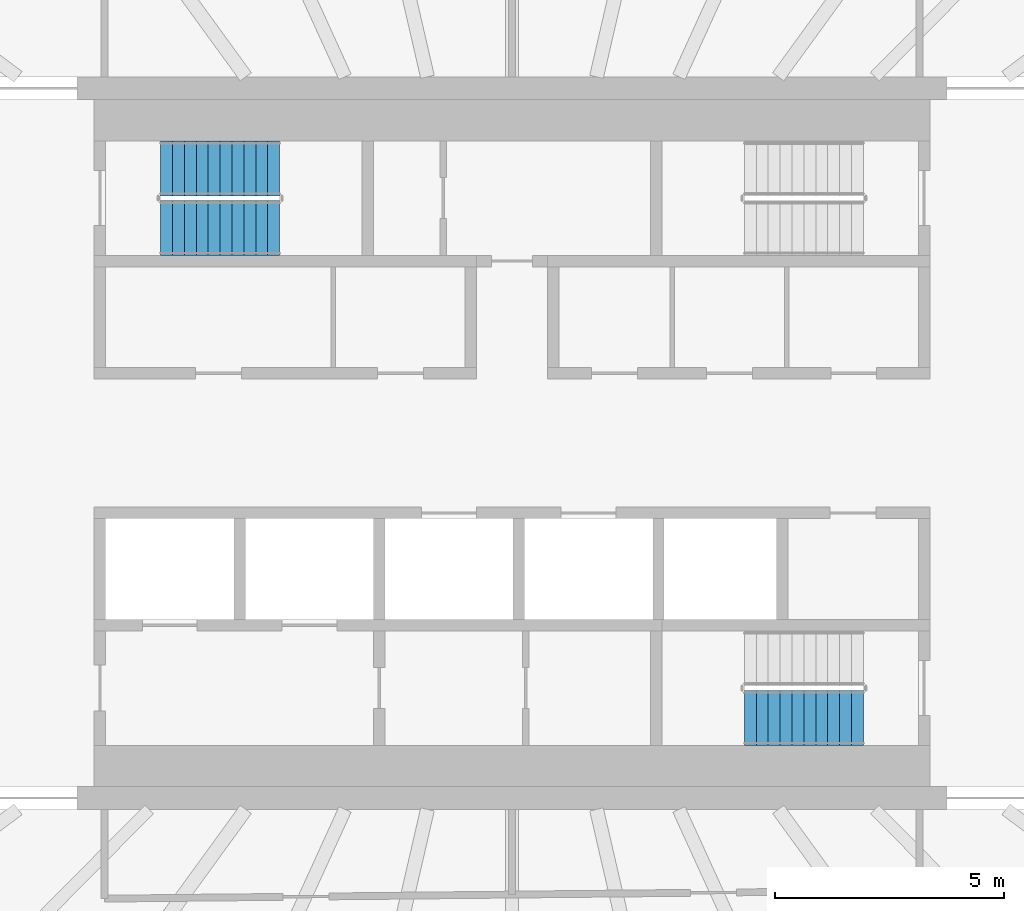
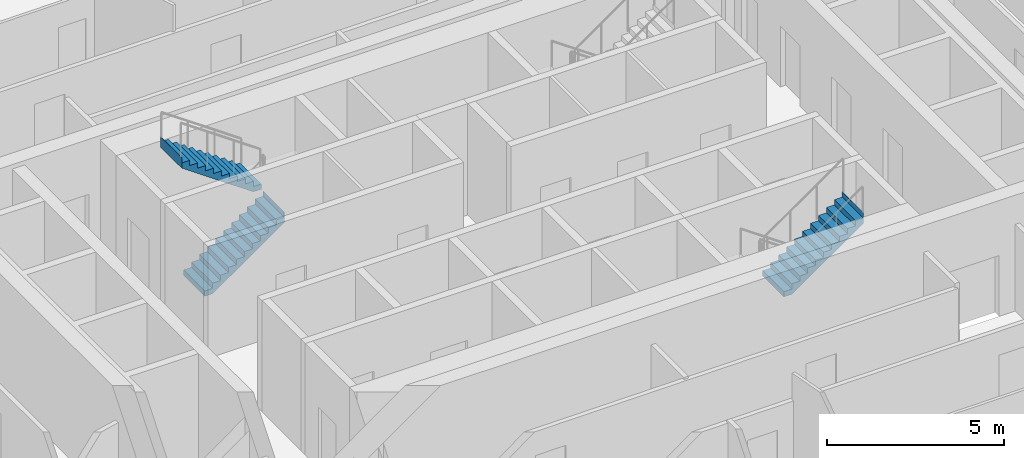
# One storey, part 16 of 23: 3 stair flights, 2 elements without a shape of their own.
"""IFC4 building model written with IfcOpenShell, lengths in metres."""

from ifc_helpers import new_model, si_unit, direction, frame, origin, place, context, subcontext, project, spatial, triangles, material, type_object, element, aggregate, save


model = new_model("IFC4")

# Units and contexts
model_context = context("Model", 3, precision=1e-05, world=origin(), true_north=direction((0.0, 1.0)))
body_context = subcontext(model_context, "Body", "Model", "MODEL_VIEW")
ifc_project = project(units=[si_unit("LENGTHUNIT", "METRE"), si_unit("AREAUNIT", "SQUARE_METRE"), si_unit("VOLUMEUNIT", "CUBIC_METRE"), si_unit("PLANEANGLEUNIT", "RADIAN"), si_unit("MASSUNIT", "GRAM", prefix="KILO")], contexts=[model_context])

# Site, building, storey
site_placement = place(None, origin())
site = spatial("IfcSite", under=ifc_project, at=site_placement, CompositionType="ELEMENT")
building_placement = place(site_placement, origin())
building = spatial("IfcBuilding", under=site, at=building_placement, Name="Sahrelin Media Tower", CompositionType="ELEMENT")
storey_placement = place(building_placement, frame((0.0, 0.0, 173.60009765625)))
storey = spatial("IfcBuildingStorey", under=building, at=storey_placement, Name="L36", CompositionType="ELEMENT", Elevation=173.60009765625)

# Stair, stair flights
ifc_material = material(Name="Concrete C40/50", Category="concrete")
stair_type = type_object("IfcStairType", Name="Exit stair 1200", PredefinedType="HALF_TURN_STAIR", material=ifc_material)
placement = place(storey_placement, origin())
stair_1 = element("IfcStair", 1, at=placement, inside=storey, type_object=stair_type, Name="L36 Exit stair ST1", PredefinedType="HALF_TURN_STAIR")
stair_flight_type = type_object("IfcStairFlightType", Name="Stair flight 1200", PredefinedType="STRAIGHT", material=ifc_material)
stair_flight_1_placement = place(storey_placement, frame((-7.675048828125, 4.699951171875, 0.0), z_axis=(0.0, 0.0, 1.0), x_axis=(1.0, 0.0, 0.0)))
stair_flight_1 = element("IfcStairFlight", 2, at=stair_flight_1_placement, type_object=stair_flight_type, Name="ST1 flight 1", NumberOfRisers=11, NumberOfTreads=10, PredefinedType="STRAIGHT", RiserHeight=0.181818182, TreadLength=0.26, context=body_context, shape_type="Tessellation", body=[
    triangles([(0.261474609375, 0.60009765625, 0.0), (0.261474609375, 0.300048828125, 0.0), (0.261474609375, 0.0, 0.0), (0.261474609375, -0.300048828125, 0.0), (0.261474609375, -0.60009765625, 0.0), (2.60009765625, 0.60009765625, 1.63525390625), (2.60009765625, 0.300048828125, 1.63525390625), (2.60009765625, 0.0, 1.63525390625), (2.60009765625, -0.300048828125, 1.63525390625), (2.60009765625, -0.60009765625, 1.63525390625), (2.60009765625, 0.60009765625, 2.0), (2.60009765625, 0.300048828125, 2.0), (2.60009765625, 0.0, 2.0), (2.60009765625, -0.300048828125, 2.0), (2.60009765625, -0.60009765625, 2.0), (2.597900390625, 0.60009765625, 2.0), (2.597900390625, 0.300048828125, 2.0), (2.597900390625, 0.0, 2.0), (2.597900390625, -0.300048828125, 2.0), (2.597900390625, -0.60009765625, 2.0), (2.597900390625, 0.60009765625, 1.818115234375), (2.597900390625, 0.300048828125, 1.818115234375), (2.597900390625, 0.0, 1.818115234375), (2.597900390625, -0.300048828125, 1.818115234375), (2.597900390625, -0.60009765625, 1.818115234375), (2.340087890625, 0.60009765625, 1.818115234375), (2.340087890625, 0.300048828125, 1.818115234375), (2.340087890625, 0.0, 1.818115234375), (2.340087890625, -0.300048828125, 1.818115234375), (2.340087890625, -0.60009765625, 1.818115234375), (2.340087890625, 0.60009765625, 1.636474609375), (2.340087890625, 0.300048828125, 1.636474609375), (2.340087890625, 0.0, 1.636474609375), (2.340087890625, -0.300048828125, 1.636474609375), (2.340087890625, -0.60009765625, 1.636474609375), (2.080078125, 0.60009765625, 1.636474609375), (2.080078125, 0.300048828125, 1.636474609375), (2.080078125, 0.0, 1.636474609375), (2.080078125, -0.300048828125, 1.636474609375), (2.080078125, -0.60009765625, 1.636474609375), (2.080078125, 0.60009765625, 1.45458984375), (2.080078125, 0.300048828125, 1.45458984375), (2.080078125, 0.0, 1.45458984375), (2.080078125, -0.300048828125, 1.45458984375), (2.080078125, -0.60009765625, 1.45458984375), (1.820068359375, 0.60009765625, 1.45458984375), (1.820068359375, 0.300048828125, 1.45458984375), (1.820068359375, 0.0, 1.45458984375), (1.820068359375, -0.300048828125, 1.45458984375), (1.820068359375, -0.60009765625, 1.45458984375), (1.820068359375, 0.60009765625, 1.272705078125), (1.820068359375, 0.300048828125, 1.272705078125), (1.820068359375, 0.0, 1.272705078125), (1.820068359375, -0.300048828125, 1.272705078125), (1.820068359375, -0.60009765625, 1.272705078125), (1.56005859375, 0.60009765625, 1.272705078125), (1.56005859375, 0.300048828125, 1.272705078125), (1.56005859375, 0.0, 1.272705078125), (1.56005859375, -0.300048828125, 1.272705078125), (1.56005859375, -0.60009765625, 1.272705078125), (1.56005859375, 0.60009765625, 1.0908203125), (1.56005859375, 0.300048828125, 1.0908203125), (1.56005859375, 0.0, 1.0908203125), (1.56005859375, -0.300048828125, 1.0908203125), (1.56005859375, -0.60009765625, 1.0908203125), (1.300048828125, 0.60009765625, 1.0908203125), (1.300048828125, 0.300048828125, 1.0908203125), (1.300048828125, 0.0, 1.0908203125), (1.300048828125, -0.300048828125, 1.0908203125), (1.300048828125, -0.60009765625, 1.0908203125), (1.300048828125, 0.60009765625, 0.9091796875), (1.300048828125, 0.300048828125, 0.9091796875), (1.300048828125, 0.0, 0.9091796875), (1.300048828125, -0.300048828125, 0.9091796875), (1.300048828125, -0.60009765625, 0.9091796875), (1.0400390625, 0.60009765625, 0.9091796875), (1.0400390625, 0.300048828125, 0.9091796875), (1.0400390625, 0.0, 0.9091796875), (1.0400390625, -0.300048828125, 0.9091796875), (1.0400390625, -0.60009765625, 0.9091796875), (1.0400390625, 0.60009765625, 0.727294921875), (1.0400390625, 0.300048828125, 0.727294921875), (1.0400390625, 0.0, 0.727294921875), (1.0400390625, -0.300048828125, 0.727294921875), (1.0400390625, -0.60009765625, 0.727294921875), (0.780029296875, 0.60009765625, 0.727294921875), (0.780029296875, 0.300048828125, 0.727294921875), (0.780029296875, 0.0, 0.727294921875), (0.780029296875, -0.300048828125, 0.727294921875), (0.780029296875, -0.60009765625, 0.727294921875), (0.780029296875, 0.60009765625, 0.54541015625), (0.780029296875, 0.300048828125, 0.54541015625), (0.780029296875, 0.0, 0.54541015625), (0.780029296875, -0.300048828125, 0.54541015625), (0.780029296875, -0.60009765625, 0.54541015625), (0.52001953125, 0.60009765625, 0.54541015625), (0.52001953125, 0.300048828125, 0.54541015625), (0.52001953125, 0.0, 0.54541015625), (0.52001953125, -0.300048828125, 0.54541015625), (0.52001953125, -0.60009765625, 0.54541015625), (0.52001953125, 0.60009765625, 0.363525390625), (0.52001953125, 0.300048828125, 0.363525390625), (0.52001953125, 0.0, 0.363525390625), (0.52001953125, -0.300048828125, 0.363525390625), (0.52001953125, -0.60009765625, 0.363525390625), (0.260009765625, 0.60009765625, 0.363525390625), (0.260009765625, 0.300048828125, 0.363525390625), (0.260009765625, 0.0, 0.363525390625), (0.260009765625, -0.300048828125, 0.363525390625), (0.260009765625, -0.60009765625, 0.363525390625), (0.260009765625, 0.60009765625, 0.181884765625), (0.260009765625, 0.300048828125, 0.181884765625), (0.260009765625, 0.0, 0.181884765625), (0.260009765625, -0.300048828125, 0.181884765625), (0.260009765625, -0.60009765625, 0.181884765625), (0.0, 0.60009765625, 0.181884765625), (0.0, 0.300048828125, 0.181884765625), (0.0, 0.0, 0.181884765625), (0.0, -0.300048828125, 0.181884765625), (0.0, -0.60009765625, 0.181884765625), (0.0, 0.60009765625, 0.0), (0.0, 0.300048828125, 0.0), (0.0, 0.0, 0.0), (0.0, -0.300048828125, 0.0), (0.0, -0.60009765625, 0.0)], [[1, 6, 7], [1, 7, 2], [2, 7, 8], [2, 8, 3], [3, 8, 9], [3, 9, 4], [4, 9, 10], [4, 10, 5], [6, 11, 12], [6, 12, 7], [7, 12, 13], [7, 13, 8], [8, 13, 14], [8, 14, 9], [9, 14, 15], [9, 15, 10], [11, 16, 17], [11, 17, 12], [12, 17, 18], [12, 18, 13], [13, 18, 19], [13, 19, 14], [14, 19, 20], [14, 20, 15], [16, 21, 22], [16, 22, 17], [17, 22, 23], [17, 23, 18], [18, 23, 24], [18, 24, 19], [19, 24, 25], [19, 25, 20], [21, 26, 27], [21, 27, 22], [22, 27, 28], [22, 28, 23], [23, 28, 29], [23, 29, 24], [24, 29, 30], [24, 30, 25], [26, 31, 32], [26, 32, 27], [27, 32, 33], [27, 33, 28], [28, 33, 34], [28, 34, 29], [29, 34, 35], [29, 35, 30], [31, 36, 37], [31, 37, 32], [32, 37, 38], [32, 38, 33], [33, 38, 39], [33, 39, 34], [34, 39, 40], [34, 40, 35], [36, 41, 42], [36, 42, 37], [37, 42, 43], [37, 43, 38], [38, 43, 44], [38, 44, 39], [39, 44, 45], [39, 45, 40], [41, 46, 47], [41, 47, 42], [42, 47, 48], [42, 48, 43], [43, 48, 49], [43, 49, 44], [44, 49, 50], [44, 50, 45], [46, 51, 52], [46, 52, 47], [47, 52, 53], [47, 53, 48], [48, 53, 54], [48, 54, 49], [49, 54, 55], [49, 55, 50], [51, 56, 57], [51, 57, 52], [52, 57, 58], [52, 58, 53], [53, 58, 59], [53, 59, 54], [54, 59, 60], [54, 60, 55], [56, 61, 62], [56, 62, 57], [57, 62, 63], [57, 63, 58], [58, 63, 64], [58, 64, 59], [59, 64, 65], [59, 65, 60], [61, 66, 67], [61, 67, 62], [62, 67, 68], [62, 68, 63], [63, 68, 69], [63, 69, 64], [64, 69, 70], [64, 70, 65], [66, 71, 72], [66, 72, 67], [67, 72, 73], [67, 73, 68], [68, 73, 74], [68, 74, 69], [69, 74, 75], [69, 75, 70], [71, 76, 77], [71, 77, 72], [72, 77, 78], [72, 78, 73], [73, 78, 79], [73, 79, 74], [74, 79, 80], [74, 80, 75], [76, 81, 82], [76, 82, 77], [77, 82, 83], [77, 83, 78], [78, 83, 84], [78, 84, 79], [79, 84, 85], [79, 85, 80], [81, 86, 87], [81, 87, 82], [82, 87, 88], [82, 88, 83], [83, 88, 89], [83, 89, 84], [84, 89, 90], [84, 90, 85], [86, 91, 92], [86, 92, 87], [87, 92, 93], [87, 93, 88], [88, 93, 94], [88, 94, 89], [89, 94, 95], [89, 95, 90], [91, 96, 97], [91, 97, 92], [92, 97, 98], [92, 98, 93], [93, 98, 99], [93, 99, 94], [94, 99, 100], [94, 100, 95], [96, 101, 102], [96, 102, 97], [97, 102, 103], [97, 103, 98], [98, 103, 104], [98, 104, 99], [99, 104, 105], [99, 105, 100], [101, 106, 107], [101, 107, 102], [102, 107, 108], [102, 108, 103], [103, 108, 109], [103, 109, 104], [104, 109, 110], [104, 110, 105], [106, 111, 112], [106, 112, 107], [107, 112, 113], [107, 113, 108], [108, 113, 114], [108, 114, 109], [109, 114, 115], [109, 115, 110], [111, 116, 117], [111, 117, 112], [112, 117, 118], [112, 118, 113], [113, 118, 119], [113, 119, 114], [114, 119, 120], [114, 120, 115], [116, 121, 122], [116, 122, 117], [117, 122, 123], [117, 123, 118], [118, 123, 124], [118, 124, 119], [119, 124, 125], [119, 125, 120], [121, 1, 2], [121, 2, 122], [122, 2, 3], [122, 3, 123], [123, 3, 4], [123, 4, 124], [124, 4, 5], [124, 5, 125], [115, 120, 125], [111, 121, 116], [115, 105, 110], [111, 106, 101], [105, 95, 100], [101, 96, 91], [95, 85, 90], [91, 86, 81], [85, 75, 80], [81, 76, 71], [75, 65, 70], [71, 66, 61], [65, 55, 60], [61, 56, 51], [55, 45, 50], [51, 46, 41], [45, 35, 40], [41, 36, 31], [35, 25, 30], [31, 26, 21], [25, 15, 20], [21, 16, 11], [125, 5, 115], [121, 111, 1], [25, 10, 15], [21, 11, 6], [105, 115, 5], [101, 1, 111], [35, 10, 25], [31, 21, 6], [95, 105, 5], [91, 1, 101], [45, 10, 35], [41, 31, 6], [85, 95, 5], [81, 1, 91], [55, 10, 45], [51, 41, 6], [75, 85, 5], [71, 1, 81], [65, 10, 55], [61, 51, 6], [5, 10, 75], [1, 71, 6], [75, 10, 65], [71, 61, 6]], closed=True),
])
stair_flight_2_placement = place(storey_placement, frame((-5.074951171875, 6.0, 2.0), z_axis=(0.0, 0.0, 1.0), x_axis=(-1.0, 0.0, 0.0)))
stair_flight_2 = element("IfcStairFlight", 3, at=stair_flight_2_placement, type_object=stair_flight_type, Name="ST1 flight 2", NumberOfRisers=11, NumberOfTreads=10, PredefinedType="STRAIGHT", RiserHeight=0.181818182, TreadLength=0.26, context=body_context, shape_type="Tessellation", body=[
    triangles([(0.261474609375, 0.60009765625, 0.0), (0.261474609375, 0.300048828125, 0.0), (0.261474609375, 0.0, 0.0), (0.261474609375, -0.300048828125, 0.0), (0.261474609375, -0.60009765625, 0.0), (2.60009765625, 0.60009765625, 1.63525390625), (2.60009765625, 0.300048828125, 1.63525390625), (2.60009765625, 0.0, 1.63525390625), (2.60009765625, -0.300048828125, 1.63525390625), (2.60009765625, -0.60009765625, 1.63525390625), (2.60009765625, 0.60009765625, 2.0), (2.60009765625, 0.300048828125, 2.0), (2.60009765625, 0.0, 2.0), (2.60009765625, -0.300048828125, 2.0), (2.60009765625, -0.60009765625, 2.0), (2.597900390625, 0.60009765625, 2.0), (2.597900390625, 0.300048828125, 2.0), (2.597900390625, 0.0, 2.0), (2.597900390625, -0.300048828125, 2.0), (2.597900390625, -0.60009765625, 2.0), (2.597900390625, 0.60009765625, 1.818115234375), (2.597900390625, 0.300048828125, 1.818115234375), (2.597900390625, 0.0, 1.818115234375), (2.597900390625, -0.300048828125, 1.818115234375), (2.597900390625, -0.60009765625, 1.818115234375), (2.340087890625, 0.60009765625, 1.818115234375), (2.340087890625, 0.300048828125, 1.818115234375), (2.340087890625, 0.0, 1.818115234375), (2.340087890625, -0.300048828125, 1.818115234375), (2.340087890625, -0.60009765625, 1.818115234375), (2.340087890625, 0.60009765625, 1.636474609375), (2.340087890625, 0.300048828125, 1.636474609375), (2.340087890625, 0.0, 1.636474609375), (2.340087890625, -0.300048828125, 1.636474609375), (2.340087890625, -0.60009765625, 1.636474609375), (2.080078125, 0.60009765625, 1.636474609375), (2.080078125, 0.300048828125, 1.636474609375), (2.080078125, 0.0, 1.636474609375), (2.080078125, -0.300048828125, 1.636474609375), (2.080078125, -0.60009765625, 1.636474609375), (2.080078125, 0.60009765625, 1.45458984375), (2.080078125, 0.300048828125, 1.45458984375), (2.080078125, 0.0, 1.45458984375), (2.080078125, -0.300048828125, 1.45458984375), (2.080078125, -0.60009765625, 1.45458984375), (1.820068359375, 0.60009765625, 1.45458984375), (1.820068359375, 0.300048828125, 1.45458984375), (1.820068359375, 0.0, 1.45458984375), (1.820068359375, -0.300048828125, 1.45458984375), (1.820068359375, -0.60009765625, 1.45458984375), (1.820068359375, 0.60009765625, 1.272705078125), (1.820068359375, 0.300048828125, 1.272705078125), (1.820068359375, 0.0, 1.272705078125), (1.820068359375, -0.300048828125, 1.272705078125), (1.820068359375, -0.60009765625, 1.272705078125), (1.56005859375, 0.60009765625, 1.272705078125), (1.56005859375, 0.300048828125, 1.272705078125), (1.56005859375, 0.0, 1.272705078125), (1.56005859375, -0.300048828125, 1.272705078125), (1.56005859375, -0.60009765625, 1.272705078125), (1.56005859375, 0.60009765625, 1.0908203125), (1.56005859375, 0.300048828125, 1.0908203125), (1.56005859375, 0.0, 1.0908203125), (1.56005859375, -0.300048828125, 1.0908203125), (1.56005859375, -0.60009765625, 1.0908203125), (1.300048828125, 0.60009765625, 1.0908203125), (1.300048828125, 0.300048828125, 1.0908203125), (1.300048828125, 0.0, 1.0908203125), (1.300048828125, -0.300048828125, 1.0908203125), (1.300048828125, -0.60009765625, 1.0908203125), (1.300048828125, 0.60009765625, 0.9091796875), (1.300048828125, 0.300048828125, 0.9091796875), (1.300048828125, 0.0, 0.9091796875), (1.300048828125, -0.300048828125, 0.9091796875), (1.300048828125, -0.60009765625, 0.9091796875), (1.0400390625, 0.60009765625, 0.9091796875), (1.0400390625, 0.300048828125, 0.9091796875), (1.0400390625, 0.0, 0.9091796875), (1.0400390625, -0.300048828125, 0.9091796875), (1.0400390625, -0.60009765625, 0.9091796875), (1.0400390625, 0.60009765625, 0.727294921875), (1.0400390625, 0.300048828125, 0.727294921875), (1.0400390625, 0.0, 0.727294921875), (1.0400390625, -0.300048828125, 0.727294921875), (1.0400390625, -0.60009765625, 0.727294921875), (0.780029296875, 0.60009765625, 0.727294921875), (0.780029296875, 0.300048828125, 0.727294921875), (0.780029296875, 0.0, 0.727294921875), (0.780029296875, -0.300048828125, 0.727294921875), (0.780029296875, -0.60009765625, 0.727294921875), (0.780029296875, 0.60009765625, 0.54541015625), (0.780029296875, 0.300048828125, 0.54541015625), (0.780029296875, 0.0, 0.54541015625), (0.780029296875, -0.300048828125, 0.54541015625), (0.780029296875, -0.60009765625, 0.54541015625), (0.52001953125, 0.60009765625, 0.54541015625), (0.52001953125, 0.300048828125, 0.54541015625), (0.52001953125, 0.0, 0.54541015625), (0.52001953125, -0.300048828125, 0.54541015625), (0.52001953125, -0.60009765625, 0.54541015625), (0.52001953125, 0.60009765625, 0.363525390625), (0.52001953125, 0.300048828125, 0.363525390625), (0.52001953125, 0.0, 0.363525390625), (0.52001953125, -0.300048828125, 0.363525390625), (0.52001953125, -0.60009765625, 0.363525390625), (0.260009765625, 0.60009765625, 0.363525390625), (0.260009765625, 0.300048828125, 0.363525390625), (0.260009765625, 0.0, 0.363525390625), (0.260009765625, -0.300048828125, 0.363525390625), (0.260009765625, -0.60009765625, 0.363525390625), (0.260009765625, 0.60009765625, 0.181884765625), (0.260009765625, 0.300048828125, 0.181884765625), (0.260009765625, 0.0, 0.181884765625), (0.260009765625, -0.300048828125, 0.181884765625), (0.260009765625, -0.60009765625, 0.181884765625), (0.0, 0.60009765625, 0.181884765625), (0.0, 0.300048828125, 0.181884765625), (0.0, 0.0, 0.181884765625), (0.0, -0.300048828125, 0.181884765625), (0.0, -0.60009765625, 0.181884765625), (0.0, 0.60009765625, 0.0), (0.0, 0.300048828125, 0.0), (0.0, 0.0, 0.0), (0.0, -0.300048828125, 0.0), (0.0, -0.60009765625, 0.0)], [[1, 6, 7], [1, 7, 2], [2, 7, 8], [2, 8, 3], [3, 8, 9], [3, 9, 4], [4, 9, 10], [4, 10, 5], [6, 11, 12], [6, 12, 7], [7, 12, 13], [7, 13, 8], [8, 13, 14], [8, 14, 9], [9, 14, 15], [9, 15, 10], [11, 16, 17], [11, 17, 12], [12, 17, 18], [12, 18, 13], [13, 18, 19], [13, 19, 14], [14, 19, 20], [14, 20, 15], [16, 21, 22], [16, 22, 17], [17, 22, 23], [17, 23, 18], [18, 23, 24], [18, 24, 19], [19, 24, 25], [19, 25, 20], [21, 26, 27], [21, 27, 22], [22, 27, 28], [22, 28, 23], [23, 28, 29], [23, 29, 24], [24, 29, 30], [24, 30, 25], [26, 31, 32], [26, 32, 27], [27, 32, 33], [27, 33, 28], [28, 33, 34], [28, 34, 29], [29, 34, 35], [29, 35, 30], [31, 36, 37], [31, 37, 32], [32, 37, 38], [32, 38, 33], [33, 38, 39], [33, 39, 34], [34, 39, 40], [34, 40, 35], [36, 41, 42], [36, 42, 37], [37, 42, 43], [37, 43, 38], [38, 43, 44], [38, 44, 39], [39, 44, 45], [39, 45, 40], [41, 46, 47], [41, 47, 42], [42, 47, 48], [42, 48, 43], [43, 48, 49], [43, 49, 44], [44, 49, 50], [44, 50, 45], [46, 51, 52], [46, 52, 47], [47, 52, 53], [47, 53, 48], [48, 53, 54], [48, 54, 49], [49, 54, 55], [49, 55, 50], [51, 56, 57], [51, 57, 52], [52, 57, 58], [52, 58, 53], [53, 58, 59], [53, 59, 54], [54, 59, 60], [54, 60, 55], [56, 61, 62], [56, 62, 57], [57, 62, 63], [57, 63, 58], [58, 63, 64], [58, 64, 59], [59, 64, 65], [59, 65, 60], [61, 66, 67], [61, 67, 62], [62, 67, 68], [62, 68, 63], [63, 68, 69], [63, 69, 64], [64, 69, 70], [64, 70, 65], [66, 71, 72], [66, 72, 67], [67, 72, 73], [67, 73, 68], [68, 73, 74], [68, 74, 69], [69, 74, 75], [69, 75, 70], [71, 76, 77], [71, 77, 72], [72, 77, 78], [72, 78, 73], [73, 78, 79], [73, 79, 74], [74, 79, 80], [74, 80, 75], [76, 81, 82], [76, 82, 77], [77, 82, 83], [77, 83, 78], [78, 83, 84], [78, 84, 79], [79, 84, 85], [79, 85, 80], [81, 86, 87], [81, 87, 82], [82, 87, 88], [82, 88, 83], [83, 88, 89], [83, 89, 84], [84, 89, 90], [84, 90, 85], [86, 91, 92], [86, 92, 87], [87, 92, 93], [87, 93, 88], [88, 93, 94], [88, 94, 89], [89, 94, 95], [89, 95, 90], [91, 96, 97], [91, 97, 92], [92, 97, 98], [92, 98, 93], [93, 98, 99], [93, 99, 94], [94, 99, 100], [94, 100, 95], [96, 101, 102], [96, 102, 97], [97, 102, 103], [97, 103, 98], [98, 103, 104], [98, 104, 99], [99, 104, 105], [99, 105, 100], [101, 106, 107], [101, 107, 102], [102, 107, 108], [102, 108, 103], [103, 108, 109], [103, 109, 104], [104, 109, 110], [104, 110, 105], [106, 111, 112], [106, 112, 107], [107, 112, 113], [107, 113, 108], [108, 113, 114], [108, 114, 109], [109, 114, 115], [109, 115, 110], [111, 116, 117], [111, 117, 112], [112, 117, 118], [112, 118, 113], [113, 118, 119], [113, 119, 114], [114, 119, 120], [114, 120, 115], [116, 121, 122], [116, 122, 117], [117, 122, 123], [117, 123, 118], [118, 123, 124], [118, 124, 119], [119, 124, 125], [119, 125, 120], [121, 1, 2], [121, 2, 122], [122, 2, 3], [122, 3, 123], [123, 3, 4], [123, 4, 124], [124, 4, 5], [124, 5, 125], [115, 120, 125], [111, 121, 116], [115, 105, 110], [111, 106, 101], [105, 95, 100], [101, 96, 91], [95, 85, 90], [91, 86, 81], [85, 75, 80], [81, 76, 71], [75, 65, 70], [71, 66, 61], [65, 55, 60], [61, 56, 51], [55, 45, 50], [51, 46, 41], [45, 35, 40], [41, 36, 31], [35, 25, 30], [31, 26, 21], [25, 15, 20], [21, 16, 11], [125, 5, 115], [121, 111, 1], [25, 10, 15], [21, 11, 6], [105, 115, 5], [101, 1, 111], [35, 10, 25], [31, 21, 6], [95, 105, 5], [91, 1, 101], [45, 10, 35], [41, 31, 6], [85, 95, 5], [81, 1, 91], [55, 10, 45], [51, 41, 6], [75, 85, 5], [71, 1, 81], [65, 10, 55], [61, 51, 6], [5, 10, 75], [1, 71, 6], [75, 10, 65], [71, 61, 6]], closed=True),
])
aggregate(stair_1, [stair_flight_1, stair_flight_2])

# Stair, stair flight
stair_2 = element("IfcStair", 4, at=placement, inside=storey, type_object=stair_type, Name="L36 Exit stair ST2", PredefinedType="HALF_TURN_STAIR")
stair_flight_3_placement = place(storey_placement, frame((5.074951171875, -6.0, 2.0), z_axis=(0.0, 0.0, 1.0), x_axis=(1.0, 0.0, 0.0)))
stair_flight_3 = element("IfcStairFlight", 5, at=stair_flight_3_placement, type_object=stair_flight_type, Name="ST2 flight 2", NumberOfRisers=11, NumberOfTreads=10, PredefinedType="STRAIGHT", RiserHeight=0.181818182, TreadLength=0.26, context=body_context, shape_type="Tessellation", body=[
    triangles([(0.261474609375, 0.60009765625, 0.0), (0.261474609375, 0.300048828125, 0.0), (0.261474609375, 0.0, 0.0), (0.261474609375, -0.300048828125, 0.0), (0.261474609375, -0.60009765625, 0.0), (2.60009765625, 0.60009765625, 1.63525390625), (2.60009765625, 0.300048828125, 1.63525390625), (2.60009765625, 0.0, 1.63525390625), (2.60009765625, -0.300048828125, 1.63525390625), (2.60009765625, -0.60009765625, 1.63525390625), (2.60009765625, 0.60009765625, 2.0), (2.60009765625, 0.300048828125, 2.0), (2.60009765625, 0.0, 2.0), (2.60009765625, -0.300048828125, 2.0), (2.60009765625, -0.60009765625, 2.0), (2.597900390625, 0.60009765625, 2.0), (2.597900390625, 0.300048828125, 2.0), (2.597900390625, 0.0, 2.0), (2.597900390625, -0.300048828125, 2.0), (2.597900390625, -0.60009765625, 2.0), (2.597900390625, 0.60009765625, 1.818115234375), (2.597900390625, 0.300048828125, 1.818115234375), (2.597900390625, 0.0, 1.818115234375), (2.597900390625, -0.300048828125, 1.818115234375), (2.597900390625, -0.60009765625, 1.818115234375), (2.340087890625, 0.60009765625, 1.818115234375), (2.340087890625, 0.300048828125, 1.818115234375), (2.340087890625, 0.0, 1.818115234375), (2.340087890625, -0.300048828125, 1.818115234375), (2.340087890625, -0.60009765625, 1.818115234375), (2.340087890625, 0.60009765625, 1.636474609375), (2.340087890625, 0.300048828125, 1.636474609375), (2.340087890625, 0.0, 1.636474609375), (2.340087890625, -0.300048828125, 1.636474609375), (2.340087890625, -0.60009765625, 1.636474609375), (2.080078125, 0.60009765625, 1.636474609375), (2.080078125, 0.300048828125, 1.636474609375), (2.080078125, 0.0, 1.636474609375), (2.080078125, -0.300048828125, 1.636474609375), (2.080078125, -0.60009765625, 1.636474609375), (2.080078125, 0.60009765625, 1.45458984375), (2.080078125, 0.300048828125, 1.45458984375), (2.080078125, 0.0, 1.45458984375), (2.080078125, -0.300048828125, 1.45458984375), (2.080078125, -0.60009765625, 1.45458984375), (1.820068359375, 0.60009765625, 1.45458984375), (1.820068359375, 0.300048828125, 1.45458984375), (1.820068359375, 0.0, 1.45458984375), (1.820068359375, -0.300048828125, 1.45458984375), (1.820068359375, -0.60009765625, 1.45458984375), (1.820068359375, 0.60009765625, 1.272705078125), (1.820068359375, 0.300048828125, 1.272705078125), (1.820068359375, 0.0, 1.272705078125), (1.820068359375, -0.300048828125, 1.272705078125), (1.820068359375, -0.60009765625, 1.272705078125), (1.56005859375, 0.60009765625, 1.272705078125), (1.56005859375, 0.300048828125, 1.272705078125), (1.56005859375, 0.0, 1.272705078125), (1.56005859375, -0.300048828125, 1.272705078125), (1.56005859375, -0.60009765625, 1.272705078125), (1.56005859375, 0.60009765625, 1.0908203125), (1.56005859375, 0.300048828125, 1.0908203125), (1.56005859375, 0.0, 1.0908203125), (1.56005859375, -0.300048828125, 1.0908203125), (1.56005859375, -0.60009765625, 1.0908203125), (1.300048828125, 0.60009765625, 1.0908203125), (1.300048828125, 0.300048828125, 1.0908203125), (1.300048828125, 0.0, 1.0908203125), (1.300048828125, -0.300048828125, 1.0908203125), (1.300048828125, -0.60009765625, 1.0908203125), (1.300048828125, 0.60009765625, 0.9091796875), (1.300048828125, 0.300048828125, 0.9091796875), (1.300048828125, 0.0, 0.9091796875), (1.300048828125, -0.300048828125, 0.9091796875), (1.300048828125, -0.60009765625, 0.9091796875), (1.0400390625, 0.60009765625, 0.9091796875), (1.0400390625, 0.300048828125, 0.9091796875), (1.0400390625, 0.0, 0.9091796875), (1.0400390625, -0.300048828125, 0.9091796875), (1.0400390625, -0.60009765625, 0.9091796875), (1.0400390625, 0.60009765625, 0.727294921875), (1.0400390625, 0.300048828125, 0.727294921875), (1.0400390625, 0.0, 0.727294921875), (1.0400390625, -0.300048828125, 0.727294921875), (1.0400390625, -0.60009765625, 0.727294921875), (0.780029296875, 0.60009765625, 0.727294921875), (0.780029296875, 0.300048828125, 0.727294921875), (0.780029296875, 0.0, 0.727294921875), (0.780029296875, -0.300048828125, 0.727294921875), (0.780029296875, -0.60009765625, 0.727294921875), (0.780029296875, 0.60009765625, 0.54541015625), (0.780029296875, 0.300048828125, 0.54541015625), (0.780029296875, 0.0, 0.54541015625), (0.780029296875, -0.300048828125, 0.54541015625), (0.780029296875, -0.60009765625, 0.54541015625), (0.52001953125, 0.60009765625, 0.54541015625), (0.52001953125, 0.300048828125, 0.54541015625), (0.52001953125, 0.0, 0.54541015625), (0.52001953125, -0.300048828125, 0.54541015625), (0.52001953125, -0.60009765625, 0.54541015625), (0.52001953125, 0.60009765625, 0.363525390625), (0.52001953125, 0.300048828125, 0.363525390625), (0.52001953125, 0.0, 0.363525390625), (0.52001953125, -0.300048828125, 0.363525390625), (0.52001953125, -0.60009765625, 0.363525390625), (0.260009765625, 0.60009765625, 0.363525390625), (0.260009765625, 0.300048828125, 0.363525390625), (0.260009765625, 0.0, 0.363525390625), (0.260009765625, -0.300048828125, 0.363525390625), (0.260009765625, -0.60009765625, 0.363525390625), (0.260009765625, 0.60009765625, 0.181884765625), (0.260009765625, 0.300048828125, 0.181884765625), (0.260009765625, 0.0, 0.181884765625), (0.260009765625, -0.300048828125, 0.181884765625), (0.260009765625, -0.60009765625, 0.181884765625), (0.0, 0.60009765625, 0.181884765625), (0.0, 0.300048828125, 0.181884765625), (0.0, 0.0, 0.181884765625), (0.0, -0.300048828125, 0.181884765625), (0.0, -0.60009765625, 0.181884765625), (0.0, 0.60009765625, 0.0), (0.0, 0.300048828125, 0.0), (0.0, 0.0, 0.0), (0.0, -0.300048828125, 0.0), (0.0, -0.60009765625, 0.0)], [[1, 6, 7], [1, 7, 2], [2, 7, 8], [2, 8, 3], [3, 8, 9], [3, 9, 4], [4, 9, 10], [4, 10, 5], [6, 11, 12], [6, 12, 7], [7, 12, 13], [7, 13, 8], [8, 13, 14], [8, 14, 9], [9, 14, 15], [9, 15, 10], [11, 16, 17], [11, 17, 12], [12, 17, 18], [12, 18, 13], [13, 18, 19], [13, 19, 14], [14, 19, 20], [14, 20, 15], [16, 21, 22], [16, 22, 17], [17, 22, 23], [17, 23, 18], [18, 23, 24], [18, 24, 19], [19, 24, 25], [19, 25, 20], [21, 26, 27], [21, 27, 22], [22, 27, 28], [22, 28, 23], [23, 28, 29], [23, 29, 24], [24, 29, 30], [24, 30, 25], [26, 31, 32], [26, 32, 27], [27, 32, 33], [27, 33, 28], [28, 33, 34], [28, 34, 29], [29, 34, 35], [29, 35, 30], [31, 36, 37], [31, 37, 32], [32, 37, 38], [32, 38, 33], [33, 38, 39], [33, 39, 34], [34, 39, 40], [34, 40, 35], [36, 41, 42], [36, 42, 37], [37, 42, 43], [37, 43, 38], [38, 43, 44], [38, 44, 39], [39, 44, 45], [39, 45, 40], [41, 46, 47], [41, 47, 42], [42, 47, 48], [42, 48, 43], [43, 48, 49], [43, 49, 44], [44, 49, 50], [44, 50, 45], [46, 51, 52], [46, 52, 47], [47, 52, 53], [47, 53, 48], [48, 53, 54], [48, 54, 49], [49, 54, 55], [49, 55, 50], [51, 56, 57], [51, 57, 52], [52, 57, 58], [52, 58, 53], [53, 58, 59], [53, 59, 54], [54, 59, 60], [54, 60, 55], [56, 61, 62], [56, 62, 57], [57, 62, 63], [57, 63, 58], [58, 63, 64], [58, 64, 59], [59, 64, 65], [59, 65, 60], [61, 66, 67], [61, 67, 62], [62, 67, 68], [62, 68, 63], [63, 68, 69], [63, 69, 64], [64, 69, 70], [64, 70, 65], [66, 71, 72], [66, 72, 67], [67, 72, 73], [67, 73, 68], [68, 73, 74], [68, 74, 69], [69, 74, 75], [69, 75, 70], [71, 76, 77], [71, 77, 72], [72, 77, 78], [72, 78, 73], [73, 78, 79], [73, 79, 74], [74, 79, 80], [74, 80, 75], [76, 81, 82], [76, 82, 77], [77, 82, 83], [77, 83, 78], [78, 83, 84], [78, 84, 79], [79, 84, 85], [79, 85, 80], [81, 86, 87], [81, 87, 82], [82, 87, 88], [82, 88, 83], [83, 88, 89], [83, 89, 84], [84, 89, 90], [84, 90, 85], [86, 91, 92], [86, 92, 87], [87, 92, 93], [87, 93, 88], [88, 93, 94], [88, 94, 89], [89, 94, 95], [89, 95, 90], [91, 96, 97], [91, 97, 92], [92, 97, 98], [92, 98, 93], [93, 98, 99], [93, 99, 94], [94, 99, 100], [94, 100, 95], [96, 101, 102], [96, 102, 97], [97, 102, 103], [97, 103, 98], [98, 103, 104], [98, 104, 99], [99, 104, 105], [99, 105, 100], [101, 106, 107], [101, 107, 102], [102, 107, 108], [102, 108, 103], [103, 108, 109], [103, 109, 104], [104, 109, 110], [104, 110, 105], [106, 111, 112], [106, 112, 107], [107, 112, 113], [107, 113, 108], [108, 113, 114], [108, 114, 109], [109, 114, 115], [109, 115, 110], [111, 116, 117], [111, 117, 112], [112, 117, 118], [112, 118, 113], [113, 118, 119], [113, 119, 114], [114, 119, 120], [114, 120, 115], [116, 121, 122], [116, 122, 117], [117, 122, 123], [117, 123, 118], [118, 123, 124], [118, 124, 119], [119, 124, 125], [119, 125, 120], [121, 1, 2], [121, 2, 122], [122, 2, 3], [122, 3, 123], [123, 3, 4], [123, 4, 124], [124, 4, 5], [124, 5, 125], [115, 120, 125], [111, 121, 116], [115, 105, 110], [111, 106, 101], [105, 95, 100], [101, 96, 91], [95, 85, 90], [91, 86, 81], [85, 75, 80], [81, 76, 71], [75, 65, 70], [71, 66, 61], [65, 55, 60], [61, 56, 51], [55, 45, 50], [51, 46, 41], [45, 35, 40], [41, 36, 31], [35, 25, 30], [31, 26, 21], [25, 15, 20], [21, 16, 11], [125, 5, 115], [121, 111, 1], [25, 10, 15], [21, 11, 6], [105, 115, 5], [101, 1, 111], [35, 10, 25], [31, 21, 6], [95, 105, 5], [91, 1, 101], [45, 10, 35], [41, 31, 6], [85, 95, 5], [81, 1, 91], [55, 10, 45], [51, 41, 6], [75, 85, 5], [71, 1, 81], [65, 10, 55], [61, 51, 6], [5, 10, 75], [1, 71, 6], [75, 10, 65], [71, 61, 6]], closed=True),
])
aggregate(stair_2, [stair_flight_3])

save(model, "model.ifc")
